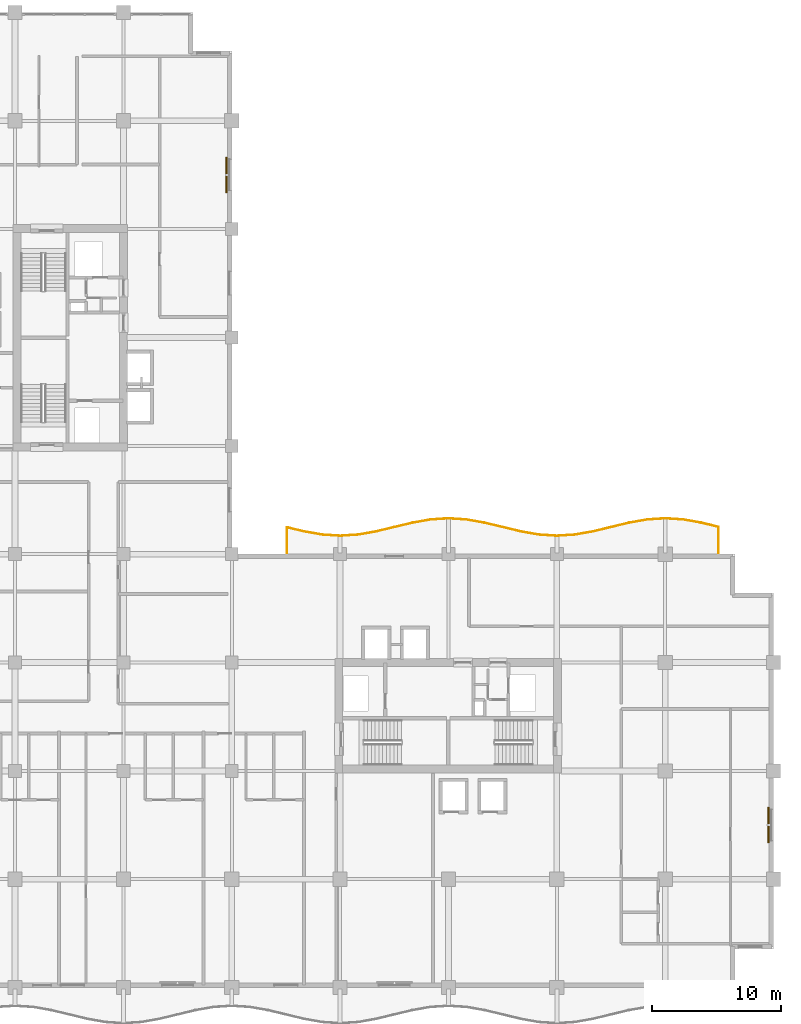
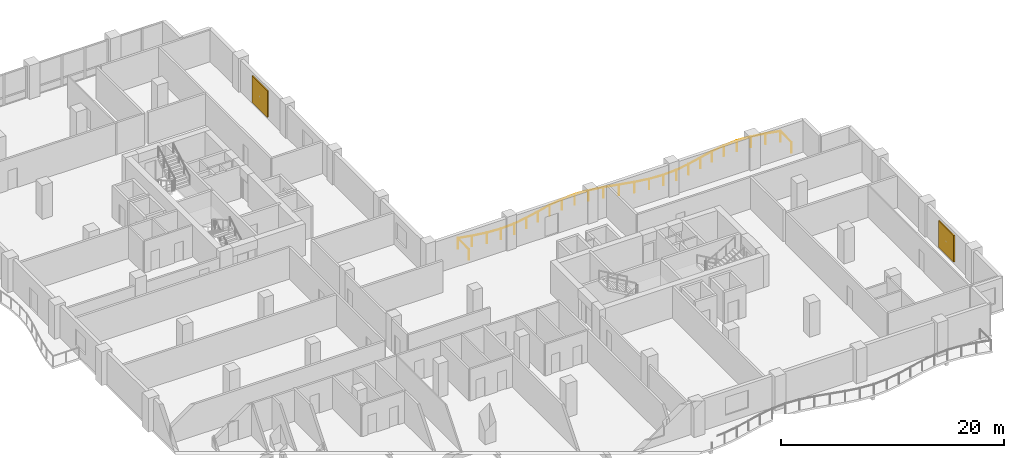
# One storey, part 18 of 18: 2 shading devices, 1 railing.
"""IFC4 building model written with IfcOpenShell, lengths in metres."""

from ifc_helpers import new_model, si_unit, direction, frame, origin, origin_2d, place, context, subcontext, project, spatial, rectangle, circle, extrude, material, layer, layer_set, type_object, element, save


model = new_model("IFC4")

# Units and contexts
model_context = context("Model", 3, precision=1e-05, world=origin(), true_north=direction((0.0, 1.0)))
body_context = subcontext(model_context, "Body", "Model", "MODEL_VIEW")
ifc_project = project(units=[si_unit("LENGTHUNIT", "METRE"), si_unit("AREAUNIT", "SQUARE_METRE"), si_unit("VOLUMEUNIT", "CUBIC_METRE"), si_unit("PLANEANGLEUNIT", "RADIAN"), si_unit("MASSUNIT", "GRAM", prefix="KILO")], contexts=[model_context])

# Site, building, storey
site_placement = place(None, origin())
site = spatial("IfcSite", under=ifc_project, at=site_placement, CompositionType="ELEMENT")
building_placement = place(site_placement, origin())
building = spatial("IfcBuilding", under=site, at=building_placement, Name="Koriwani Terraces Tower", CompositionType="ELEMENT")
storey_placement = place(building_placement, frame((0.0, 0.0, 205.0)))
storey = spatial("IfcBuildingStorey", under=building, at=storey_placement, Name="L50", CompositionType="ELEMENT", Elevation=205.0)

# Railing
ifc_material_1 = material(Name="Steel ASTM A572 Grade 50", Category="steel")
railing_type = type_object("IfcRailingType", Name="GUARD_BALUSTRADE_1150", PredefinedType="BALUSTRADE", material=ifc_material_1)
railing_placement = place(storey_placement, frame((71.320068359375, 33.679931640625, 0.0)))
element("IfcRailing", 1, at=railing_placement, inside=storey, type_object=railing_type, Name="L50 Balcony Perimeter Safety Balustrade (NE)", PredefinedType="BALUSTRADE", context=body_context, shape_type="SweptSolid", body=[
    extrude(circle(Radius=0.02392578125, at=origin_2d()), frame((0.0, 0.0, 1.1259765625), z_axis=(0.0, 1.0, 0.0), x_axis=(-1.0, 0.0, 0.0)), (0.0, 0.0, 1.0), 2.031982421875),
    extrude(circle(Radius=0.02392578125, at=origin_2d()), frame((0.0, 2.031982421875, 1.1259765625), z_axis=(-0.972135261578, 0.234420633044, 0.0), x_axis=(-0.234420633044, -0.972135261578, 0.0)), (0.0, 0.0, 1.0), 1.374755859375),
    extrude(circle(Radius=0.02392578125, at=origin_2d()), frame((-1.33642578125, 2.354248046875, 1.1259765625), z_axis=(-0.984787032938, 0.173765646078, 0.0), x_axis=(-0.173765646078, -0.984787032938, 0.0)), (0.0, 0.0, 1.0), 1.414794921875),
    extrude(circle(Radius=0.02392578125, at=origin_2d()), frame((-2.729736328125, 2.60009765625, 1.1259765625), z_axis=(-0.997918766852, 0.064483600738, 0.0), x_axis=(-0.064483600738, -0.997918766852, 0.0)), (0.0, 0.0, 1.0), 1.393310546875),
    extrude(circle(Radius=0.02392578125, at=origin_2d()), frame((-4.1201171875, 2.68994140625, 1.1259765625), z_axis=(-0.997918766852, -0.064483600738, 0.0), x_axis=(0.064483600738, -0.997918766852, 0.0)), (0.0, 0.0, 1.0), 1.393310546875),
    extrude(circle(Radius=0.02392578125, at=origin_2d()), frame((-5.510498046875, 2.60009765625, 1.1259765625), z_axis=(-0.984787032938, -0.173765646078, 0.0), x_axis=(0.173765646078, -0.984787032938, 0.0)), (0.0, 0.0, 1.0), 1.414794921875),
    extrude(circle(Radius=0.02392578125, at=origin_2d()), frame((-6.90380859375, 2.354248046875, 1.1259765625), z_axis=(-0.972147505112, -0.234369853661, 0.0), x_axis=(0.234369853661, -0.972147505112, 0.0)), (0.0, 0.0, 1.0), 2.88037109375),
    extrude(circle(Radius=0.02392578125, at=origin_2d()), frame((-9.703857421875, 1.67919921875, 1.1259765625), z_axis=(-0.984807637937, -0.173648830292, 0.0), x_axis=(0.173648830292, -0.984807637937, 0.0)), (0.0, 0.0, 1.0), 1.428466796875),
    extrude(circle(Radius=0.02392578125, at=origin_2d()), frame((-11.110595703125, 1.43115234375, 1.1259765625), z_axis=(-0.997930321615, -0.064304534842, 0.0), x_axis=(0.064304534842, -0.997930321615, 0.0)), (0.0, 0.0, 1.0), 1.412353515625),
    extrude(circle(Radius=0.02392578125, at=origin_2d()), frame((-12.52001953125, 1.34033203125, 1.1259765625), z_axis=(-0.997931036226, 0.064293443969, 0.0), x_axis=(-0.064293443969, -0.997931036226, 0.0)), (0.0, 0.0, 1.0), 1.41259765625),
    extrude(circle(Radius=0.02392578125, at=origin_2d()), frame((-13.9296875, 1.43115234375, 1.1259765625), z_axis=(-0.984807637937, 0.173648830292, 0.0), x_axis=(-0.173648830292, -0.984807637937, 0.0)), (0.0, 0.0, 1.0), 1.428466796875),
    extrude(circle(Radius=0.02392578125, at=origin_2d()), frame((-15.33642578125, 1.67919921875, 1.1259765625), z_axis=(-0.972147505112, 0.234369853661, 0.0), x_axis=(-0.234369853661, -0.972147505112, 0.0)), (0.0, 0.0, 1.0), 2.88037109375),
    extrude(circle(Radius=0.02392578125, at=origin_2d()), frame((-18.136474609375, 2.354248046875, 1.1259765625), z_axis=(-0.984787032938, 0.173765646078, 0.0), x_axis=(-0.173765646078, -0.984787032938, 0.0)), (0.0, 0.0, 1.0), 1.414794921875),
    extrude(circle(Radius=0.02392578125, at=origin_2d()), frame((-19.52978515625, 2.60009765625, 1.1259765625), z_axis=(-0.997918766852, 0.064483600738, 0.0), x_axis=(-0.064483600738, -0.997918766852, 0.0)), (0.0, 0.0, 1.0), 1.393310546875),
    extrude(circle(Radius=0.02392578125, at=origin_2d()), frame((-20.920166015625, 2.68994140625, 1.1259765625), z_axis=(-0.997918766852, -0.064483600738, 0.0), x_axis=(0.064483600738, -0.997918766852, 0.0)), (0.0, 0.0, 1.0), 1.393310546875),
    extrude(circle(Radius=0.02392578125, at=origin_2d()), frame((-22.310546875, 2.60009765625, 1.1259765625), z_axis=(-0.984787032938, -0.173765646078, 0.0), x_axis=(0.173765646078, -0.984787032938, 0.0)), (0.0, 0.0, 1.0), 1.414794921875),
    extrude(circle(Radius=0.02392578125, at=origin_2d()), frame((-23.703857421875, 2.354248046875, 1.1259765625), z_axis=(-0.972142848567, -0.234389167796, 0.0), x_axis=(0.234389167796, -0.972142848567, 0.0)), (0.0, 0.0, 1.0), 2.880126953125),
    extrude(circle(Radius=0.02392578125, at=origin_2d()), frame((-26.503662109375, 1.67919921875, 1.1259765625), z_axis=(-0.984812790368, -0.173619606978, 0.0), x_axis=(0.173619606978, -0.984812790368, 0.0)), (0.0, 0.0, 1.0), 1.4287109375),
    extrude(circle(Radius=0.02392578125, at=origin_2d()), frame((-27.91064453125, 1.43115234375, 1.1259765625), z_axis=(-0.997930321615, -0.064304534842, 0.0), x_axis=(0.064304534842, -0.997930321615, 0.0)), (0.0, 0.0, 1.0), 1.412353515625),
    extrude(circle(Radius=0.02392578125, at=origin_2d()), frame((-29.320068359375, 1.34033203125, 1.1259765625), z_axis=(-0.997930321615, 0.064304534842, 0.0), x_axis=(-0.064304534842, -0.997930321615, 0.0)), (0.0, 0.0, 1.0), 1.412353515625),
    extrude(circle(Radius=0.02392578125, at=origin_2d()), frame((-30.7294921875, 1.43115234375, 1.1259765625), z_axis=(-0.984812790368, 0.173619606978, 0.0), x_axis=(-0.173619606978, -0.984812790368, 0.0)), (0.0, 0.0, 1.0), 1.4287109375),
    extrude(circle(Radius=0.02392578125, at=origin_2d()), frame((-32.136474609375, 1.67919921875, 1.1259765625), z_axis=(-0.972163766848, 0.234302390999, 0.0), x_axis=(-0.234302390999, -0.972163766848, 0.0)), (0.0, 0.0, 1.0), 1.341064453125),
    extrude(circle(Radius=0.02392578125, at=origin_2d()), frame((-33.440185546875, 1.993408203125, 1.1259765625), z_axis=(0.0, -1.0, 0.0), x_axis=(1.0, 0.0, 0.0)), (0.0, 0.0, 1.0), 1.993408203125),
    extrude(circle(Radius=0.02099609375, at=origin_2d()), origin(), (0.0, 0.0, 1.0), 1.101806640625),
    extrude(circle(Radius=0.02099609375, at=origin_2d()), frame((0.0, 2.031982421875, 0.0)), (0.0, 0.0, 1.0), 1.101806640625),
    extrude(circle(Radius=0.02099609375, at=origin_2d()), frame((-1.33642578125, 2.354248046875, 0.0)), (0.0, 0.0, 1.0), 1.101806640625),
    extrude(circle(Radius=0.02099609375, at=origin_2d()), frame((-2.729736328125, 2.60009765625, 0.0)), (0.0, 0.0, 1.0), 1.101806640625),
    extrude(circle(Radius=0.02099609375, at=origin_2d()), frame((-4.1201171875, 2.68994140625, 0.0)), (0.0, 0.0, 1.0), 1.101806640625),
    extrude(circle(Radius=0.02099609375, at=origin_2d()), frame((-5.510498046875, 2.60009765625, 0.0)), (0.0, 0.0, 1.0), 1.101806640625),
    extrude(circle(Radius=0.02099609375, at=origin_2d()), frame((-6.90380859375, 2.354248046875, 0.0)), (0.0, 0.0, 1.0), 1.101806640625),
    extrude(circle(Radius=0.02099609375, at=origin_2d()), frame((-8.3037109375, 2.0166015625, 0.0)), (0.0, 0.0, 1.0), 1.101806640625),
    extrude(circle(Radius=0.02099609375, at=origin_2d()), frame((-9.703857421875, 1.67919921875, 0.0)), (0.0, 0.0, 1.0), 1.101806640625),
    extrude(circle(Radius=0.02099609375, at=origin_2d()), frame((-11.110595703125, 1.43115234375, 0.0)), (0.0, 0.0, 1.0), 1.101806640625),
    extrude(circle(Radius=0.02099609375, at=origin_2d()), frame((-12.52001953125, 1.34033203125, 0.0)), (0.0, 0.0, 1.0), 1.101806640625),
    extrude(circle(Radius=0.02099609375, at=origin_2d()), frame((-13.9296875, 1.43115234375, 0.0)), (0.0, 0.0, 1.0), 1.101806640625),
    extrude(circle(Radius=0.02099609375, at=origin_2d()), frame((-15.33642578125, 1.67919921875, 0.0)), (0.0, 0.0, 1.0), 1.101806640625),
    extrude(circle(Radius=0.02099609375, at=origin_2d()), frame((-16.736328125, 2.0166015625, 0.0)), (0.0, 0.0, 1.0), 1.101806640625),
    extrude(circle(Radius=0.02099609375, at=origin_2d()), frame((-18.136474609375, 2.354248046875, 0.0)), (0.0, 0.0, 1.0), 1.101806640625),
    extrude(circle(Radius=0.02099609375, at=origin_2d()), frame((-19.52978515625, 2.60009765625, 0.0)), (0.0, 0.0, 1.0), 1.101806640625),
    extrude(circle(Radius=0.02099609375, at=origin_2d()), frame((-20.920166015625, 2.68994140625, 0.0)), (0.0, 0.0, 1.0), 1.101806640625),
    extrude(circle(Radius=0.02099609375, at=origin_2d()), frame((-22.310546875, 2.60009765625, 0.0)), (0.0, 0.0, 1.0), 1.101806640625),
    extrude(circle(Radius=0.02099609375, at=origin_2d()), frame((-23.703857421875, 2.354248046875, 0.0)), (0.0, 0.0, 1.0), 1.101806640625),
    extrude(circle(Radius=0.02099609375, at=origin_2d()), frame((-25.103759765625, 2.0166015625, 0.0)), (0.0, 0.0, 1.0), 1.101806640625),
    extrude(circle(Radius=0.02099609375, at=origin_2d()), frame((-26.503662109375, 1.67919921875, 0.0)), (0.0, 0.0, 1.0), 1.101806640625),
    extrude(circle(Radius=0.02099609375, at=origin_2d()), frame((-27.91064453125, 1.43115234375, 0.0)), (0.0, 0.0, 1.0), 1.101806640625),
    extrude(circle(Radius=0.02099609375, at=origin_2d()), frame((-29.320068359375, 1.34033203125, 0.0)), (0.0, 0.0, 1.0), 1.101806640625),
    extrude(circle(Radius=0.02099609375, at=origin_2d()), frame((-30.7294921875, 1.43115234375, 0.0)), (0.0, 0.0, 1.0), 1.101806640625),
    extrude(circle(Radius=0.02099609375, at=origin_2d()), frame((-32.136474609375, 1.67919921875, 0.0)), (0.0, 0.0, 1.0), 1.101806640625),
    extrude(circle(Radius=0.02099609375, at=origin_2d()), frame((-33.440185546875, 1.993408203125, 0.0)), (0.0, 0.0, 1.0), 1.101806640625),
    extrude(circle(Radius=0.02099609375, at=origin_2d()), frame((-33.440185546875, 0.0, 0.0)), (0.0, 0.0, 1.0), 1.101806640625),
])

# Shading devices
ifc_material_2 = material(Name="Extruded Terracotta Clay", Category="masonry")
ifc_layer = layer(ifc_material_2, 0.1201171875, Name="Extruded Terracotta Clay")
ifc_layer_set = layer_set([ifc_layer], Name="Extruded Terracotta Clay")
shading_device_type = type_object("IfcShadingDeviceType", Name="TERRACOTTA_BAGUETTE_SCREEN_2800", PredefinedType="USERDEFINED", material=ifc_layer_set)
for number, where, z_axis, x_axis, name in (
    (2, (33.195068359375, 63.0, 0.28515625), (0.0, 0.0, 1.0), (0.0, -1.0, 0.0), "L50 Extruded Terracotta Baguette Screen (NW_IN-11)"),
    (3, (75.195068359375, 12.60009765625, 0.28515625), (0.0, 0.0, 1.0), (0.0, -1.0, 0.0), "L50 Extruded Terracotta Baguette Screen (E_TIP-3)"),
):
    element("IfcShadingDevice", number, at=place(storey_placement, frame(where, z_axis=z_axis, x_axis=x_axis)), inside=storey, type_object=shading_device_type, Name=name, ObjectType="BAGUETTE", PredefinedType="USERDEFINED", context=body_context, shape_type="SweptSolid", body=[
        extrude(rectangle(XDim=2.760009765625, YDim=0.1201171875, at=origin_2d()), origin(), (0.0, 0.0, 1.0), 2.89990234375),
    ])

save(model, "model.ifc")
